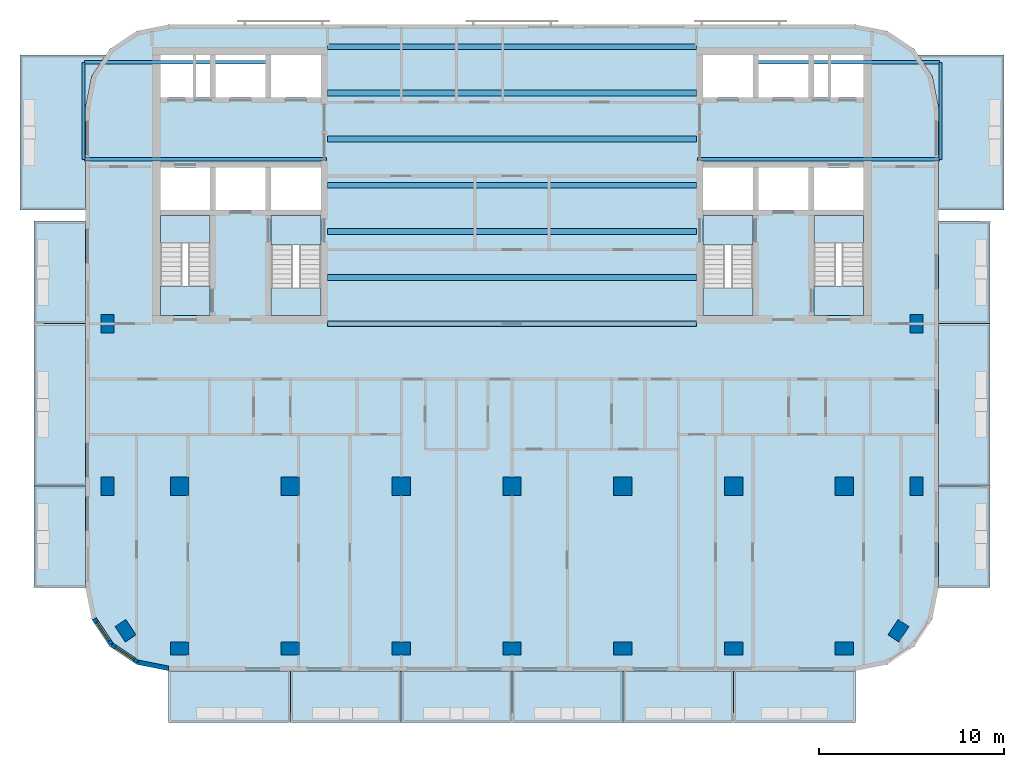
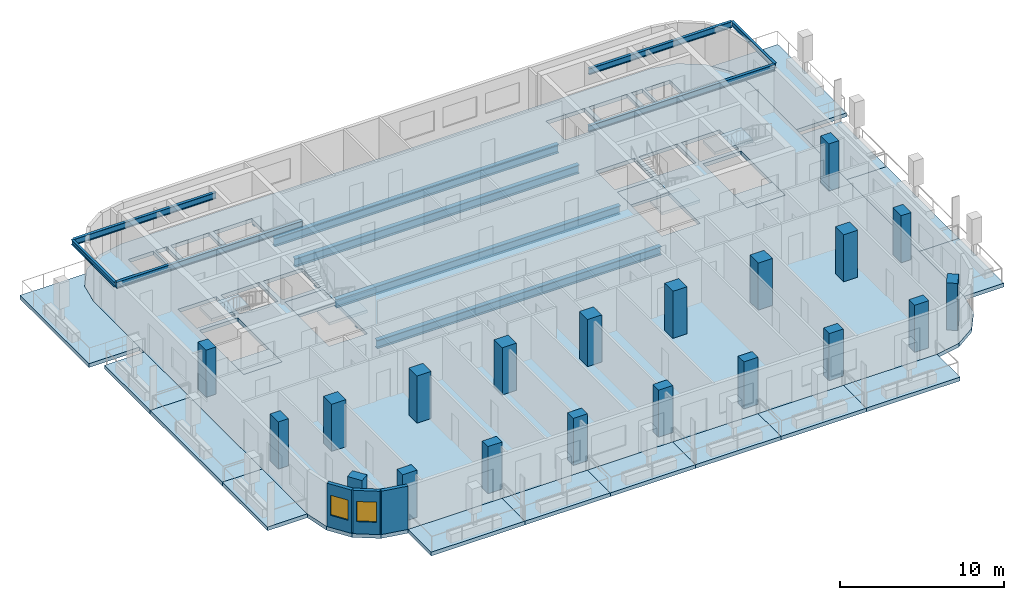
# One storey, part 1 of 11: 23 slabs, 20 columns, 13 beams, 3 walls, 2 windows, 2 openings, 4 elements without a shape of their own.
"""IFC4 building model written with IfcOpenShell, lengths in metres."""

from ifc_helpers import new_model, si_unit, direction, frame, frame_2d, origin, origin_2d, place, context, subcontext, project, spatial, polyline, rectangle, i_section, outline, extrude, material, layer, layer_set, material_profile, profile_set, type_object, element, fill, aggregate, save


model = new_model("IFC4")

# Units and contexts
model_context = context("Model", 3, precision=1e-05, world=origin(), true_north=direction((0.0, 1.0)))
body_context = subcontext(model_context, "Body", "Model", "MODEL_VIEW")
ifc_project = project(units=[si_unit("LENGTHUNIT", "METRE"), si_unit("AREAUNIT", "SQUARE_METRE"), si_unit("VOLUMEUNIT", "CUBIC_METRE"), si_unit("PLANEANGLEUNIT", "RADIAN"), si_unit("MASSUNIT", "GRAM", prefix="KILO")], contexts=[model_context])

# Site, building, storey
site_placement = place(None, origin())
site = spatial("IfcSite", under=ifc_project, at=site_placement, CompositionType="ELEMENT")
building_placement = place(site_placement, origin())
building = spatial("IfcBuilding", under=site, at=building_placement, Name="Torana Hotel and Residences", CompositionType="ELEMENT")
storey_placement = place(building_placement, frame((0.0, 0.0, 298.10009765625)))
storey = spatial("IfcBuildingStorey", under=building, at=storey_placement, Name="L79", CompositionType="ELEMENT", Elevation=298.10009765625)

# Columns
ifc_material_1 = material(Name="Concrete C50/60", Category="concrete")
ifc_material_profile_1 = material_profile(ifc_material_1, rectangle(XDim=1.0, YDim=1.0, at=origin_2d()), Name="RC 1000x1000")
ifc_profile_set_1 = profile_set([ifc_material_profile_1], Name="Concrete C50/60")
column_type_1 = type_object("IfcColumnType", Name="COLUMN RC 1000x1000 C50/60", PredefinedType="COLUMN", material=ifc_profile_set_1)
for number, where, z_axis, x_axis, name in (
    (1, (-18.0, -23.800048828125, 0.0), (0.0, 0.0, 1.0), (1.0, 0.0, 0.0), "Column L79"),
    (2, (-12.0, -23.800048828125, 0.0), (0.0, 0.0, 1.0), (1.0, 0.0, 0.0), "Column L79"),
    (3, (-6.0, -23.800048828125, 0.0), (0.0, 0.0, 1.0), (1.0, 0.0, 0.0), "Column L79"),
    (4, (0.0, -23.800048828125, 0.0), (0.0, 0.0, 1.0), (1.0, 0.0, 0.0), "Column L79"),
    (5, (6.0, -23.800048828125, 0.0), (0.0, 0.0, 1.0), (1.0, 0.0, 0.0), "Column L79"),
    (6, (12.0, -23.800048828125, 0.0), (0.0, 0.0, 1.0), (1.0, 0.0, 0.0), "Column L79"),
    (7, (18.0, -23.800048828125, 0.0), (0.0, 0.0, 1.0), (1.0, 0.0, 0.0), "Column L79"),
):
    element("IfcColumn", number, at=place(storey_placement, frame(where, z_axis=z_axis, x_axis=x_axis)), inside=storey, type_object=column_type_1, Name=name, PredefinedType="COLUMN", context=body_context, shape_type="SweptSolid", body=[
        extrude(rectangle(XDim=1.0, YDim=1.0, at=origin_2d()), origin(), (0.0, 0.0, 1.0), 3.5),
    ])
ifc_material_2 = material(Name="Concrete C50/60", Category="concrete")
ifc_material_profile_2 = material_profile(ifc_material_2, rectangle(XDim=1.0, YDim=0.699951171875, at=origin_2d()), Name="RC 1000x700")
ifc_profile_set_2 = profile_set([ifc_material_profile_2], Name="Concrete C50/60")
column_type_2 = type_object("IfcColumnType", Name="COLUMN RC 1000x700 C50/60", PredefinedType="COLUMN", material=ifc_profile_set_2)
for number, where, z_axis, x_axis, name in (
    (8, (-21.89990234375, -23.800048828125, 0.0), (0.0, 0.0, 1.0), (0.0, 1.0, 0.0), "Column L79"),
    (9, (-21.89990234375, -15.0, 0.0), (0.0, 0.0, 1.0), (0.0, 1.0, 0.0), "Column L79"),
    (10, (-20.93310546875, -31.633056640625, 0.0), (0.0, 0.0, 1.0), (-0.555584744817, 0.831459915646, 0.0), "Column L79"),
    (11, (-18.0, -32.60009765625, 0.0), (0.0, 0.0, 1.0), (1.0, 0.0, 0.0), "Column L79"),
    (12, (-12.0, -32.60009765625, 0.0), (0.0, 0.0, 1.0), (1.0, 0.0, 0.0), "Column L79"),
    (13, (-6.0, -32.60009765625, 0.0), (0.0, 0.0, 1.0), (1.0, 0.0, 0.0), "Column L79"),
    (14, (0.0, -32.60009765625, 0.0), (0.0, 0.0, 1.0), (1.0, 0.0, 0.0), "Column L79"),
    (15, (6.0, -32.60009765625, 0.0), (0.0, 0.0, 1.0), (1.0, 0.0, 0.0), "Column L79"),
    (16, (12.0, -32.60009765625, 0.0), (0.0, 0.0, 1.0), (1.0, 0.0, 0.0), "Column L79"),
    (17, (18.0, -32.60009765625, 0.0), (0.0, 0.0, 1.0), (1.0, 0.0, 0.0), "Column L79"),
    (18, (20.93310546875, -31.633056640625, 0.0), (0.0, 0.0, 1.0), (0.555584744817, 0.831459915646, 0.0), "Column L79"),
    (19, (21.89990234375, -23.800048828125, 0.0), (0.0, 0.0, 1.0), (0.0, 1.0, 0.0), "Column L79"),
    (20, (21.89990234375, -15.0, 0.0), (0.0, 0.0, 1.0), (0.0, 1.0, 0.0), "Column L79"),
):
    element("IfcColumn", number, at=place(storey_placement, frame(where, z_axis=z_axis, x_axis=x_axis)), inside=storey, type_object=column_type_2, Name=name, PredefinedType="COLUMN", context=body_context, shape_type="SweptSolid", body=[
        extrude(rectangle(XDim=1.0, YDim=0.699951171875, at=origin_2d()), origin(), (0.0, 0.0, 1.0), 3.5),
    ])

# Beams
ifc_material_3 = material(Name="Steel S355", Category="steel")
ifc_material_profile_3 = material_profile(ifc_material_3, i_section(OverallWidth=0.19287109375, OverallDepth=0.46728515625, WebThickness=0.011474609375, FlangeThickness=0.01953125, FilletRadius=0.01025390625, at=origin_2d()), Name="457x191x98 UB")
ifc_profile_set_3 = profile_set([ifc_material_profile_3], Name="Steel S355")
beam_type_1 = type_object("IfcBeamType", Name="BALCONY CANTILEVER BEAM 457x191x98 UB", PredefinedType="BEAM", material=ifc_profile_set_3)
beam_1_placement = place(storey_placement, frame((-23.1484375, -6.10009765625, 2.986328125), z_axis=(1.0, 0.0, 0.0), x_axis=(0.0, 1.0, 0.0)))
element("IfcBeam", 21, at=beam_1_placement, inside=storey, type_object=beam_type_1, Name="Balcony cantilever beam", PredefinedType="BEAM", context=body_context, shape_type="SweptSolid", body=[
    extrude(i_section(OverallWidth=0.19287109375, OverallDepth=0.46728515625, WebThickness=0.011474609375, FlangeThickness=0.01953125, FilletRadius=0.01025390625, at=origin_2d()), origin(), (0.0, 0.0, 1.0), 13.098388671875),
])
beam_2_placement = place(storey_placement, frame((-23.1484375, -0.85009765625, 2.986328125), z_axis=(1.0, 0.0, 0.0), x_axis=(0.0, 1.0, 0.0)))
element("IfcBeam", 22, at=beam_2_placement, inside=storey, type_object=beam_type_1, Name="Balcony cantilever beam", PredefinedType="BEAM", context=body_context, shape_type="SweptSolid", body=[
    extrude(i_section(OverallWidth=0.19287109375, OverallDepth=0.46728515625, WebThickness=0.011474609375, FlangeThickness=0.01953125, FilletRadius=0.01025390625, at=origin_2d()), origin(), (0.0, 0.0, 1.0), 10.04833984375),
])
beam_3_placement = place(storey_placement, frame((23.1484375, -6.10009765625, 2.986328125), z_axis=(-1.0, 0.0, 0.0), x_axis=(0.0, -1.0, 0.0)))
element("IfcBeam", 23, at=beam_3_placement, inside=storey, type_object=beam_type_1, Name="Balcony cantilever beam", PredefinedType="BEAM", context=body_context, shape_type="SweptSolid", body=[
    extrude(i_section(OverallWidth=0.19287109375, OverallDepth=0.46728515625, WebThickness=0.011474609375, FlangeThickness=0.01953125, FilletRadius=0.01025390625, at=origin_2d()), origin(), (0.0, 0.0, 1.0), 13.098388671875),
])
beam_4_placement = place(storey_placement, frame((23.1484375, -0.85009765625, 2.986328125), z_axis=(-1.0, 0.0, 0.0), x_axis=(0.0, -1.0, 0.0)))
element("IfcBeam", 24, at=beam_4_placement, inside=storey, type_object=beam_type_1, Name="Balcony cantilever beam", PredefinedType="BEAM", context=body_context, shape_type="SweptSolid", body=[
    extrude(i_section(OverallWidth=0.19287109375, OverallDepth=0.46728515625, WebThickness=0.011474609375, FlangeThickness=0.01953125, FilletRadius=0.01025390625, at=origin_2d()), origin(), (0.0, 0.0, 1.0), 10.04833984375),
])
ifc_material_4 = material(Name="Steel S355", Category="steel")
ifc_material_profile_4 = material_profile(ifc_material_4, i_section(OverallWidth=0.173095703125, OverallDepth=0.36328125, WebThickness=0.009033203125, FlangeThickness=0.015625, FilletRadius=0.01025390625, at=origin_2d()), Name="356x171x67 UB")
ifc_profile_set_4 = profile_set([ifc_material_profile_4], Name="Steel S355")
beam_type_2 = type_object("IfcBeamType", Name="BALCONY TIP BEAM 356x171x67 UB", PredefinedType="BEAM", material=ifc_profile_set_4)
for number, where, z_axis, x_axis, name in (
    (25, (-23.205078125, -6.10009765625, 3.0380859375), (0.0, 1.0, 0.0), (-1.0, 0.0, 0.0), "Balcony tip beam"),
    (26, (23.205078125, -6.10009765625, 3.0380859375), (0.0, 1.0, 0.0), (-1.0, 0.0, 0.0), "Balcony tip beam"),
):
    element("IfcBeam", number, at=place(storey_placement, frame(where, z_axis=z_axis, x_axis=x_axis)), inside=storey, type_object=beam_type_2, Name=name, PredefinedType="BEAM", context=body_context, shape_type="SweptSolid", body=[
        extrude(i_section(OverallWidth=0.173095703125, OverallDepth=0.36328125, WebThickness=0.009033203125, FlangeThickness=0.015625, FilletRadius=0.01025390625, at=origin_2d()), origin(), (0.0, 0.0, 1.0), 5.25),
    ])
ifc_material_5 = material(Name="Steel S355", Category="steel")
ifc_material_profile_5 = material_profile(ifc_material_5, i_section(OverallWidth=0.311279296875, OverallDepth=0.6357421875, WebThickness=0.018310546875, FlangeThickness=0.031494140625, FilletRadius=0.0166015625, at=origin_2d()), Name="610x305x238 UB")
ifc_profile_set_5 = profile_set([ifc_material_profile_5], Name="Steel S355")
beam_type_3 = type_object("IfcBeamType", Name="STEEL GIRDER 610x305x238 UB", PredefinedType="BEAM", material=ifc_profile_set_5)
for number, where, z_axis, x_axis, name in (
    (27, (-10.0, -15.0, -0.597900390625), (1.0, 0.0, 0.0), (0.0, 1.0, 0.0), "Floor girder"),
    (28, (-10.0, -12.5, -0.597900390625), (1.0, 0.0, 0.0), (0.0, 1.0, 0.0), "Floor girder"),
    (29, (-10.0, -10.0, -0.597900390625), (1.0, 0.0, 0.0), (0.0, 1.0, 0.0), "Floor girder"),
    (30, (-10.0, -7.5, -0.597900390625), (1.0, 0.0, 0.0), (0.0, 1.0, 0.0), "Floor girder"),
    (31, (-10.0, -5.0, -0.597900390625), (1.0, 0.0, 0.0), (0.0, 1.0, 0.0), "Floor girder"),
    (32, (-10.0, -2.5, -0.597900390625), (1.0, 0.0, 0.0), (0.0, 1.0, 0.0), "Floor girder"),
    (33, (-10.0, 0.0, -0.597900390625), (1.0, 0.0, 0.0), (0.0, 1.0, 0.0), "Floor girder"),
):
    element("IfcBeam", number, at=place(storey_placement, frame(where, z_axis=z_axis, x_axis=x_axis)), inside=storey, type_object=beam_type_3, Name=name, PredefinedType="BEAM", context=body_context, shape_type="SweptSolid", body=[
        extrude(i_section(OverallWidth=0.311279296875, OverallDepth=0.6357421875, WebThickness=0.018310546875, FlangeThickness=0.031494140625, FilletRadius=0.0166015625, at=origin_2d()), origin(), (0.0, 0.0, 1.0), 20.0),
    ])

# Slabs
ifc_material_6 = material(Name="Concrete C40/50", Category="concrete")
ifc_layer_1 = layer(ifc_material_6, 0.280029296875)
ifc_layer_set_1 = layer_set([ifc_layer_1], Name="BAL1 BALCONY SLAB 280")
slab_type_1 = type_object("IfcSlabType", Name="BAL1 BALCONY SLAB 280", PredefinedType="USERDEFINED", material=ifc_layer_set_1)
slab_1_placement = place(storey_placement, frame((0.0, 0.0, -0.280029296875)))
element("IfcSlab", 34, at=slab_1_placement, inside=storey, type_object=slab_type_1, Name="Balcony 01", ObjectType="BALCONY", PredefinedType="USERDEFINED", context=body_context, shape_type="SweptSolid", body=[
    extrude(outline(polyline([(-18.60009765625, -36.60009765625), (-12.0, -36.60009765625), (-12.0, -33.800048828125), (-18.60009765625, -33.800048828125), (-18.60009765625, -36.60009765625)])), origin(), (0.0, 0.0, 1.0), 0.280029296875),
])
slab_2_placement = place(storey_placement, frame((0.0, 0.0, -0.280029296875)))
element("IfcSlab", 35, at=slab_2_placement, inside=storey, type_object=slab_type_1, Name="Balcony 02", ObjectType="BALCONY", PredefinedType="USERDEFINED", context=body_context, shape_type="SweptSolid", body=[
    extrude(outline(polyline([(-12.0, -36.60009765625), (-6.0, -36.60009765625), (-6.0, -33.800048828125), (-12.0, -33.800048828125), (-12.0, -36.60009765625)])), origin(), (0.0, 0.0, 1.0), 0.280029296875),
])
slab_3_placement = place(storey_placement, frame((0.0, 0.0, -0.280029296875)))
element("IfcSlab", 36, at=slab_3_placement, inside=storey, type_object=slab_type_1, Name="Balcony 03", ObjectType="BALCONY", PredefinedType="USERDEFINED", context=body_context, shape_type="SweptSolid", body=[
    extrude(outline(polyline([(-6.0, -36.60009765625), (0.0, -36.60009765625), (0.0, -33.800048828125), (-6.0, -33.800048828125), (-6.0, -36.60009765625)])), origin(), (0.0, 0.0, 1.0), 0.280029296875),
])
slab_4_placement = place(storey_placement, frame((0.0, 0.0, -0.280029296875)))
element("IfcSlab", 37, at=slab_4_placement, inside=storey, type_object=slab_type_1, Name="Balcony 04", ObjectType="BALCONY", PredefinedType="USERDEFINED", context=body_context, shape_type="SweptSolid", body=[
    extrude(outline(polyline([(0.0, -36.60009765625), (6.0, -36.60009765625), (6.0, -33.800048828125), (0.0, -33.800048828125), (0.0, -36.60009765625)])), origin(), (0.0, 0.0, 1.0), 0.280029296875),
])
slab_5_placement = place(storey_placement, frame((0.0, 0.0, -0.280029296875)))
element("IfcSlab", 38, at=slab_5_placement, inside=storey, type_object=slab_type_1, Name="Balcony 05", ObjectType="BALCONY", PredefinedType="USERDEFINED", context=body_context, shape_type="SweptSolid", body=[
    extrude(outline(polyline([(6.0, -36.60009765625), (12.0, -36.60009765625), (12.0, -33.800048828125), (6.0, -33.800048828125), (6.0, -36.60009765625)])), origin(), (0.0, 0.0, 1.0), 0.280029296875),
])
slab_6_placement = place(storey_placement, frame((0.0, 0.0, -0.280029296875)))
element("IfcSlab", 39, at=slab_6_placement, inside=storey, type_object=slab_type_1, Name="Balcony 06", ObjectType="BALCONY", PredefinedType="USERDEFINED", context=body_context, shape_type="SweptSolid", body=[
    extrude(outline(polyline([(12.0, -36.60009765625), (18.60009765625, -36.60009765625), (18.60009765625, -33.800048828125), (12.0, -33.800048828125), (12.0, -36.60009765625)])), origin(), (0.0, 0.0, 1.0), 0.280029296875),
])
slab_7_placement = place(storey_placement, frame((0.0, 0.0, -0.280029296875)))
element("IfcSlab", 40, at=slab_7_placement, inside=storey, type_object=slab_type_1, Name="Balcony 07", ObjectType="BALCONY", PredefinedType="USERDEFINED", context=body_context, shape_type="SweptSolid", body=[
    extrude(outline(polyline([(-25.89990234375, -29.300048828125), (-23.10009765625, -29.300048828125), (-23.10009765625, -23.800048828125), (-25.89990234375, -23.800048828125), (-25.89990234375, -29.300048828125)])), origin(), (0.0, 0.0, 1.0), 0.280029296875),
])
slab_8_placement = place(storey_placement, frame((0.0, 0.0, -0.280029296875)))
element("IfcSlab", 41, at=slab_8_placement, inside=storey, type_object=slab_type_1, Name="Balcony 08", ObjectType="BALCONY", PredefinedType="USERDEFINED", context=body_context, shape_type="SweptSolid", body=[
    extrude(outline(polyline([(-25.89990234375, -23.800048828125), (-23.10009765625, -23.800048828125), (-23.10009765625, -15.0), (-25.89990234375, -15.0), (-25.89990234375, -23.800048828125)])), origin(), (0.0, 0.0, 1.0), 0.280029296875),
])
slab_9_placement = place(storey_placement, frame((0.0, 0.0, -0.280029296875)))
element("IfcSlab", 42, at=slab_9_placement, inside=storey, type_object=slab_type_1, Name="Balcony 09", ObjectType="BALCONY", PredefinedType="USERDEFINED", context=body_context, shape_type="SweptSolid", body=[
    extrude(outline(polyline([(-25.89990234375, -15.0), (-23.10009765625, -15.0), (-23.10009765625, -9.449951171875), (-25.89990234375, -9.449951171875), (-25.89990234375, -15.0)])), origin(), (0.0, 0.0, 1.0), 0.280029296875),
])
slab_10_placement = place(storey_placement, frame((0.0, 0.0, -0.280029296875)))
element("IfcSlab", 43, at=slab_10_placement, inside=storey, type_object=slab_type_1, Name="Balcony 10", ObjectType="BALCONY", PredefinedType="USERDEFINED", context=body_context, shape_type="SweptSolid", body=[
    extrude(outline(polyline([(-26.64990234375, -8.85009765625), (-23.10009765625, -8.85009765625), (-23.10009765625, -3.300048828125), (-22.757568359375, -1.577880859375), (-22.00390625, -0.449951171875), (-26.64990234375, -0.449951171875), (-26.64990234375, -8.85009765625)])), origin(), (0.0, 0.0, 1.0), 0.280029296875),
])
slab_11_placement = place(storey_placement, frame((0.0, 0.0, -0.280029296875)))
element("IfcSlab", 44, at=slab_11_placement, inside=storey, type_object=slab_type_1, Name="Balcony 11", ObjectType="BALCONY", PredefinedType="USERDEFINED", context=body_context, shape_type="SweptSolid", body=[
    extrude(outline(polyline([(23.10009765625, -29.300048828125), (25.89990234375, -29.300048828125), (25.89990234375, -23.800048828125), (23.10009765625, -23.800048828125), (23.10009765625, -29.300048828125)])), origin(), (0.0, 0.0, 1.0), 0.280029296875),
])
slab_12_placement = place(storey_placement, frame((0.0, 0.0, -0.280029296875)))
element("IfcSlab", 45, at=slab_12_placement, inside=storey, type_object=slab_type_1, Name="Balcony 12", ObjectType="BALCONY", PredefinedType="USERDEFINED", context=body_context, shape_type="SweptSolid", body=[
    extrude(outline(polyline([(23.10009765625, -23.800048828125), (25.89990234375, -23.800048828125), (25.89990234375, -15.0), (23.10009765625, -15.0), (23.10009765625, -23.800048828125)])), origin(), (0.0, 0.0, 1.0), 0.280029296875),
])
slab_13_placement = place(storey_placement, frame((0.0, 0.0, -0.280029296875)))
element("IfcSlab", 46, at=slab_13_placement, inside=storey, type_object=slab_type_1, Name="Balcony 13", ObjectType="BALCONY", PredefinedType="USERDEFINED", context=body_context, shape_type="SweptSolid", body=[
    extrude(outline(polyline([(23.10009765625, -15.0), (25.89990234375, -15.0), (25.89990234375, -9.449951171875), (23.10009765625, -9.449951171875), (23.10009765625, -15.0)])), origin(), (0.0, 0.0, 1.0), 0.280029296875),
])
slab_14_placement = place(storey_placement, frame((0.0, 0.0, -0.280029296875)))
element("IfcSlab", 47, at=slab_14_placement, inside=storey, type_object=slab_type_1, Name="Balcony 14", ObjectType="BALCONY", PredefinedType="USERDEFINED", context=body_context, shape_type="SweptSolid", body=[
    extrude(outline(polyline([(23.10009765625, -8.85009765625), (26.64990234375, -8.85009765625), (26.64990234375, -0.449951171875), (22.00390625, -0.449951171875), (22.757568359375, -1.577880859375), (23.10009765625, -3.300048828125), (23.10009765625, -8.85009765625)])), origin(), (0.0, 0.0, 1.0), 0.280029296875),
])
ifc_material_7 = material(Name="Concrete C40/50", Category="concrete")
ifc_layer_2 = layer(ifc_material_7, 0.280029296875)
ifc_layer_set_2 = layer_set([ifc_layer_2], Name="FLOOR SLAB PT 280")
slab_type_2 = type_object("IfcSlabType", Name="FLOOR SLAB PT 280", PredefinedType="FLOOR", material=ifc_layer_set_2)
slab_15_placement = place(storey_placement, frame((0.0, 0.0, -0.280029296875)))
element("IfcSlab", 48, at=slab_15_placement, inside=storey, type_object=slab_type_2, Name="Floor slab", PredefinedType="FLOOR", context=body_context, shape_type="SweptSolid", body=[
    extrude(outline(polyline([(23.10009765625, -3.300048828125), (22.757568359375, -1.577880859375), (21.781982421875, -0.117919921875), (20.322021484375, 0.857421875), (18.60009765625, 1.199951171875), (-18.60009765625, 1.199951171875), (-20.322021484375, 0.857421875), (-21.781982421875, -0.117919921875), (-22.757568359375, -1.577880859375), (-23.10009765625, -3.300048828125), (-23.10009765625, -29.300048828125), (-22.757568359375, -31.022216796875), (-21.781982421875, -32.48193359375), (-20.322021484375, -33.45751953125), (-18.60009765625, -33.800048828125), (18.60009765625, -33.800048828125), (20.322021484375, -33.45751953125), (21.781982421875, -32.48193359375), (22.757568359375, -31.022216796875), (23.10009765625, -29.300048828125), (23.10009765625, -3.300048828125)]), holes=[polyline([(-13.050048828125, -14.550048828125), (-10.35009765625, -14.550048828125), (-10.35009765625, -9.14990234375), (-13.050048828125, -9.14990234375), (-13.050048828125, -14.550048828125)]), polyline([(-19.050048828125, -14.550048828125), (-16.35009765625, -14.550048828125), (-16.35009765625, -9.14990234375), (-19.050048828125, -9.14990234375), (-19.050048828125, -14.550048828125)]), polyline([(-17.125, -2.75), (-16.35009765625, -2.75), (-16.35009765625, -0.449951171875), (-17.125, -0.449951171875), (-17.125, -2.75)]), polyline([(-19.050048828125, -2.75), (-17.27490234375, -2.75), (-17.27490234375, -0.449951171875), (-19.050048828125, -0.449951171875), (-19.050048828125, -2.75)]), polyline([(-13.050048828125, -2.75), (-10.35009765625, -2.75), (-10.35009765625, -0.449951171875), (-13.050048828125, -0.449951171875), (-13.050048828125, -2.75)]), polyline([(-16.050048828125, -2.75), (-13.35009765625, -2.75), (-13.35009765625, -0.449951171875), (-16.050048828125, -0.449951171875), (-16.050048828125, -2.75)]), polyline([(-13.050048828125, -8.85009765625), (-10.35009765625, -8.85009765625), (-10.35009765625, -6.550048828125), (-13.050048828125, -6.550048828125), (-13.050048828125, -8.85009765625)]), polyline([(-16.050048828125, -8.85009765625), (-13.35009765625, -8.85009765625), (-13.35009765625, -6.550048828125), (-16.050048828125, -6.550048828125), (-16.050048828125, -8.85009765625)]), polyline([(-19.050048828125, -8.85009765625), (-16.35009765625, -8.85009765625), (-16.35009765625, -6.550048828125), (-19.050048828125, -6.550048828125), (-19.050048828125, -8.85009765625)]), polyline([(10.35009765625, -14.550048828125), (13.050048828125, -14.550048828125), (13.050048828125, -9.14990234375), (10.35009765625, -9.14990234375), (10.35009765625, -14.550048828125)]), polyline([(16.35009765625, -14.550048828125), (19.050048828125, -14.550048828125), (19.050048828125, -9.14990234375), (16.35009765625, -9.14990234375), (16.35009765625, -14.550048828125)]), polyline([(16.35009765625, -2.75), (17.125, -2.75), (17.125, -0.449951171875), (16.35009765625, -0.449951171875), (16.35009765625, -2.75)]), polyline([(17.27490234375, -2.75), (19.050048828125, -2.75), (19.050048828125, -0.449951171875), (17.27490234375, -0.449951171875), (17.27490234375, -2.75)]), polyline([(10.35009765625, -2.75), (13.050048828125, -2.75), (13.050048828125, -0.449951171875), (10.35009765625, -0.449951171875), (10.35009765625, -2.75)]), polyline([(13.35009765625, -2.75), (16.050048828125, -2.75), (16.050048828125, -0.449951171875), (13.35009765625, -0.449951171875), (13.35009765625, -2.75)]), polyline([(10.35009765625, -8.85009765625), (13.050048828125, -8.85009765625), (13.050048828125, -6.550048828125), (10.35009765625, -6.550048828125), (10.35009765625, -8.85009765625)]), polyline([(13.35009765625, -8.85009765625), (16.050048828125, -8.85009765625), (16.050048828125, -6.550048828125), (13.35009765625, -6.550048828125), (13.35009765625, -8.85009765625)]), polyline([(16.35009765625, -8.85009765625), (19.050048828125, -8.85009765625), (19.050048828125, -6.550048828125), (16.35009765625, -6.550048828125), (16.35009765625, -8.85009765625)])]), origin(), (0.0, 0.0, 1.0), 0.280029296875),
])

# Stair, slabs
ifc_material_8 = material(Name="Concrete C40/50 precast", Category="concrete")
stair_type_1 = type_object("IfcStairType", Name="STAIR ST1 HALF TURN 1200", PredefinedType="HALF_TURN_STAIR", material=ifc_material_8)
stair_1_placement = place(storey_placement, origin())
stair_1 = element("IfcStair", 49, at=stair_1_placement, inside=storey, type_object=stair_type_1, Name="Stair ST1 L79", PredefinedType="HALF_TURN_STAIR")
ifc_material_9 = material(Name="Concrete C40/50 precast", Category="concrete")
ifc_layer_3 = layer(ifc_material_9, 0.199951171875)
ifc_layer_set_3 = layer_set([ifc_layer_3], Name="STAIR LANDING 200")
slab_type_3 = type_object("IfcSlabType", Name="STAIR LANDING 200", PredefinedType="LANDING", material=ifc_layer_set_3)
slab_16_placement = place(storey_placement, frame((0.0, 0.0, 1.5498046875)))
slab_16 = element("IfcSlab", 50, at=slab_16_placement, type_object=slab_type_3, Name="ST1 landing 1", PredefinedType="LANDING", context=body_context, shape_type="SweptSolid", body=[
    extrude(outline(polyline([(-13.050048828125, -14.550048828125), (-10.35009765625, -14.550048828125), (-10.35009765625, -13.090087890625), (-13.050048828125, -13.090087890625), (-13.050048828125, -14.550048828125)])), origin(), (0.0, 0.0, 1.0), 0.2001953125),
])
slab_17_placement = place(storey_placement, frame((0.0, 0.0, -0.2001953125)))
slab_17 = element("IfcSlab", 51, at=slab_17_placement, type_object=slab_type_3, Name="ST1 landing 2", PredefinedType="LANDING", context=body_context, shape_type="SweptSolid", body=[
    extrude(outline(polyline([(-13.050048828125, -10.75), (-10.35009765625, -10.75), (-10.35009765625, -9.14990234375), (-13.050048828125, -9.14990234375), (-13.050048828125, -10.75)])), origin(), (0.0, 0.0, 1.0), 0.2001953125),
])
aggregate(stair_1, [slab_16, slab_17])

ifc_material_10 = material(Name="Concrete C40/50 precast", Category="concrete")
stair_type_2 = type_object("IfcStairType", Name="STAIR ST2 HALF TURN 1200", PredefinedType="HALF_TURN_STAIR", material=ifc_material_10)
stair_2_placement = place(storey_placement, origin())
stair_2 = element("IfcStair", 52, at=stair_2_placement, inside=storey, type_object=stair_type_2, Name="Stair ST2 L79", PredefinedType="HALF_TURN_STAIR")
slab_18_placement = place(storey_placement, frame((0.0, 0.0, 1.5498046875)))
slab_18 = element("IfcSlab", 53, at=slab_18_placement, type_object=slab_type_3, Name="ST2 landing 1", PredefinedType="LANDING", context=body_context, shape_type="SweptSolid", body=[
    extrude(outline(polyline([(-19.050048828125, -10.610107421875), (-16.35009765625, -10.610107421875), (-16.35009765625, -9.14990234375), (-19.050048828125, -9.14990234375), (-19.050048828125, -10.610107421875)])), origin(), (0.0, 0.0, 1.0), 0.2001953125),
])
slab_19_placement = place(storey_placement, frame((0.0, 0.0, -0.2001953125)))
slab_19 = element("IfcSlab", 54, at=slab_19_placement, type_object=slab_type_3, Name="ST2 landing 2", PredefinedType="LANDING", context=body_context, shape_type="SweptSolid", body=[
    extrude(outline(polyline([(-19.050048828125, -14.550048828125), (-16.35009765625, -14.550048828125), (-16.35009765625, -12.949951171875), (-19.050048828125, -12.949951171875), (-19.050048828125, -14.550048828125)])), origin(), (0.0, 0.0, 1.0), 0.2001953125),
])
aggregate(stair_2, [slab_18, slab_19])

ifc_material_11 = material(Name="Concrete C40/50 precast", Category="concrete")
stair_type_3 = type_object("IfcStairType", Name="STAIR ST3 HALF TURN 1200", PredefinedType="HALF_TURN_STAIR", material=ifc_material_11)
stair_3_placement = place(storey_placement, origin())
stair_3 = element("IfcStair", 55, at=stair_3_placement, inside=storey, type_object=stair_type_3, Name="Stair ST3 L79", PredefinedType="HALF_TURN_STAIR")
slab_20_placement = place(storey_placement, frame((0.0, 0.0, 1.5498046875)))
slab_20 = element("IfcSlab", 56, at=slab_20_placement, type_object=slab_type_3, Name="ST3 landing 1", PredefinedType="LANDING", context=body_context, shape_type="SweptSolid", body=[
    extrude(outline(polyline([(10.35009765625, -14.550048828125), (13.050048828125, -14.550048828125), (13.050048828125, -13.090087890625), (10.35009765625, -13.090087890625), (10.35009765625, -14.550048828125)])), origin(), (0.0, 0.0, 1.0), 0.2001953125),
])
slab_21_placement = place(storey_placement, frame((0.0, 0.0, -0.2001953125)))
slab_21 = element("IfcSlab", 57, at=slab_21_placement, type_object=slab_type_3, Name="ST3 landing 2", PredefinedType="LANDING", context=body_context, shape_type="SweptSolid", body=[
    extrude(outline(polyline([(10.35009765625, -10.75), (13.050048828125, -10.75), (13.050048828125, -9.14990234375), (10.35009765625, -9.14990234375), (10.35009765625, -10.75)])), origin(), (0.0, 0.0, 1.0), 0.2001953125),
])
aggregate(stair_3, [slab_20, slab_21])

ifc_material_12 = material(Name="Concrete C40/50 precast", Category="concrete")
stair_type_4 = type_object("IfcStairType", Name="STAIR ST4 HALF TURN 1200", PredefinedType="HALF_TURN_STAIR", material=ifc_material_12)
stair_4_placement = place(storey_placement, origin())
stair_4 = element("IfcStair", 58, at=stair_4_placement, inside=storey, type_object=stair_type_4, Name="Stair ST4 L79", PredefinedType="HALF_TURN_STAIR")
slab_22_placement = place(storey_placement, frame((0.0, 0.0, 1.5498046875)))
slab_22 = element("IfcSlab", 59, at=slab_22_placement, type_object=slab_type_3, Name="ST4 landing 1", PredefinedType="LANDING", context=body_context, shape_type="SweptSolid", body=[
    extrude(outline(polyline([(16.35009765625, -10.610107421875), (19.050048828125, -10.610107421875), (19.050048828125, -9.14990234375), (16.35009765625, -9.14990234375), (16.35009765625, -10.610107421875)])), origin(), (0.0, 0.0, 1.0), 0.2001953125),
])
slab_23_placement = place(storey_placement, frame((0.0, 0.0, -0.2001953125)))
slab_23 = element("IfcSlab", 60, at=slab_23_placement, type_object=slab_type_3, Name="ST4 landing 2", PredefinedType="LANDING", context=body_context, shape_type="SweptSolid", body=[
    extrude(outline(polyline([(16.35009765625, -14.550048828125), (19.050048828125, -14.550048828125), (19.050048828125, -12.949951171875), (16.35009765625, -12.949951171875), (16.35009765625, -14.550048828125)])), origin(), (0.0, 0.0, 1.0), 0.2001953125),
])
aggregate(stair_4, [slab_22, slab_23])

# Wall, opening, window
ifc_material_13 = material(Name="Black aluminium composite panel", Category="aluminium")
ifc_layer_4 = layer(ifc_material_13, 0.00390625, Name="Cladding", Category="cladding")
ifc_material_14 = material(Name="Ventilated air cavity")
ifc_layer_5 = layer(ifc_material_14, 0.0400390625, Name="Ventilated cavity", Category="cavity")
ifc_material_15 = material(Name="Mineral wool insulation")
ifc_layer_6 = layer(ifc_material_15, 0.090087890625, Name="Insulation", Category="insulation")
ifc_material_16 = material(Name="Steel S280GD", Category="steel")
ifc_layer_7 = layer(ifc_material_16, 0.092041015625, Name="Steel stud frame", Category="structure")
ifc_material_17 = material(Name="Fire rated plasterboard")
ifc_layer_8 = layer(ifc_material_17, 0.011962890625, Name="Inner board", Category="finish")
ifc_layer_9 = layer(ifc_material_17, 0.011962890625, Name="Second board", Category="finish")
ifc_layer_set_4 = layer_set([ifc_layer_4, ifc_layer_5, ifc_layer_6, ifc_layer_7, ifc_layer_8, ifc_layer_9], Name="EW1 EXTERNAL WALL BLACK METAL CLAD 250")
wall_type = type_object("IfcWallType", Name="EW1 EXTERNAL WALL BLACK METAL CLAD 250", PredefinedType="SOLIDWALL", material=ifc_layer_set_4)
wall_1_placement = place(storey_placement, frame((-22.6259765625, -30.993896484375, 0.0), z_axis=(0.0, 0.0, 1.0), x_axis=(0.55555029066, -0.831482937015, 0.0)))
wall_1 = element("IfcWall", 61, at=wall_1_placement, inside=storey, type_object=wall_type, Name="External wall L79 e0.11", PredefinedType="SOLIDWALL", context=body_context, shape_type="SweptSolid", body=[
    extrude(rectangle(XDim=1.65625, YDim=0.25, at=frame_2d((0.828125, 0.0))), origin(), (0.0, 0.0, 1.0), 3.219970703125),
])
opening_1_placement = place(wall_1_placement, frame((0.228271484375, 0.0, 0.89990234375)))
opening_1 = element("IfcOpeningElement", 62, at=opening_1_placement, cuts=wall_1, Name="Opening W5", PredefinedType="OPENING", context=body_context, shape_type="SweptSolid", body=[
    extrude(rectangle(XDim=1.199951171875, YDim=1.5, at=frame_2d((0.60009765625, 0.75))), frame((0.0, 0.135009765625, 0.0), z_axis=(0.0, -1.0, 0.0), x_axis=(1.0, 0.0, 0.0)), (0.0, 0.0, 1.0), 0.27001953125),
])
ifc_material_18 = material(Name="Dark glass in black aluminium frame", Category="aluminium")
window_type = type_object("IfcWindowType", Name="W5 CORNER FACET WINDOW 1200x1500", PartitioningType="SINGLE_PANEL", PredefinedType="WINDOW", material=ifc_material_18)
window_1_placement = place(opening_1_placement, origin())
window_1 = element("IfcWindow", 63, at=window_1_placement, inside=storey, type_object=window_type, Name="Window L79 e0.11", OverallHeight=1.5, OverallWidth=1.199951171875, PartitioningType="SINGLE_PANEL", PredefinedType="WINDOW", context=body_context, shape_type="SweptSolid", body=[
    extrude(rectangle(XDim=1.199951171875, YDim=1.5, at=frame_2d((0.60009765625, 0.75))), frame((0.0, 0.030029296875, 0.0), z_axis=(0.0, -1.0, 0.0), x_axis=(1.0, 0.0, 0.0)), (0.0, 0.0, 1.0), 0.06005859375),
])
fill(opening_1, window_1)

wall_2_placement = place(storey_placement, frame((-21.671142578125, -32.40576171875, 0.0), z_axis=(0.0, 0.0, 1.0), x_axis=(0.831482937015, -0.55555029066, 0.0)))
wall_2 = element("IfcWall", 64, at=wall_2_placement, inside=storey, type_object=wall_type, Name="External wall L79 e0.12", PredefinedType="SOLIDWALL", context=body_context, shape_type="SweptSolid", body=[
    extrude(rectangle(XDim=1.65625, YDim=0.25, at=frame_2d((0.828125, 0.0))), origin(), (0.0, 0.0, 1.0), 3.219970703125),
])
opening_2_placement = place(wall_2_placement, frame((0.228271484375, 0.0, 0.89990234375)))
opening_2 = element("IfcOpeningElement", 65, at=opening_2_placement, cuts=wall_2, Name="Opening W5", PredefinedType="OPENING", context=body_context, shape_type="SweptSolid", body=[
    extrude(rectangle(XDim=1.199951171875, YDim=1.5, at=frame_2d((0.60009765625, 0.75))), frame((0.0, 0.135009765625, 0.0), z_axis=(0.0, -1.0, 0.0), x_axis=(1.0, 0.0, 0.0)), (0.0, 0.0, 1.0), 0.27001953125),
])
window_2_placement = place(opening_2_placement, origin())
window_2 = element("IfcWindow", 66, at=window_2_placement, inside=storey, type_object=window_type, Name="Window L79 e0.12", OverallHeight=1.5, OverallWidth=1.199951171875, PartitioningType="SINGLE_PANEL", PredefinedType="WINDOW", context=body_context, shape_type="SweptSolid", body=[
    extrude(rectangle(XDim=1.199951171875, YDim=1.5, at=frame_2d((0.60009765625, 0.75))), frame((0.0, 0.030029296875, 0.0), z_axis=(0.0, -1.0, 0.0), x_axis=(1.0, 0.0, 0.0)), (0.0, 0.0, 1.0), 0.06005859375),
])
fill(opening_2, window_2)

# Wall
wall_3_placement = place(storey_placement, frame((-20.248779296875, -33.344482421875, 0.0), z_axis=(0.0, 0.0, 1.0), x_axis=(0.980770110232, -0.195166572128, 0.0)))
element("IfcWall", 67, at=wall_3_placement, inside=storey, type_object=wall_type, Name="External wall L79 e0.13", PredefinedType="SOLIDWALL", context=body_context, shape_type="SweptSolid", body=[
    extrude(rectangle(XDim=1.68115234375, YDim=0.25, at=frame_2d((0.840576171875, 0.0))), origin(), (0.0, 0.0, 1.0), 3.219970703125),
])

save(model, "model.ifc")
